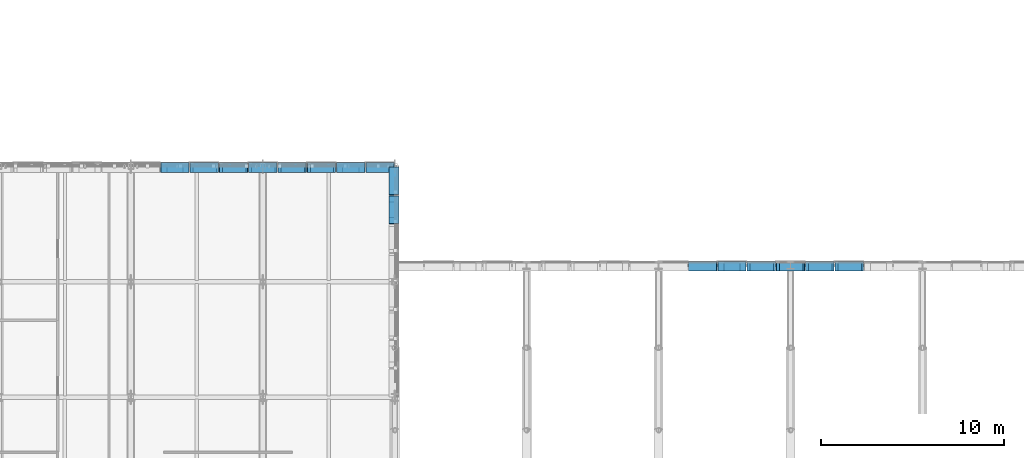
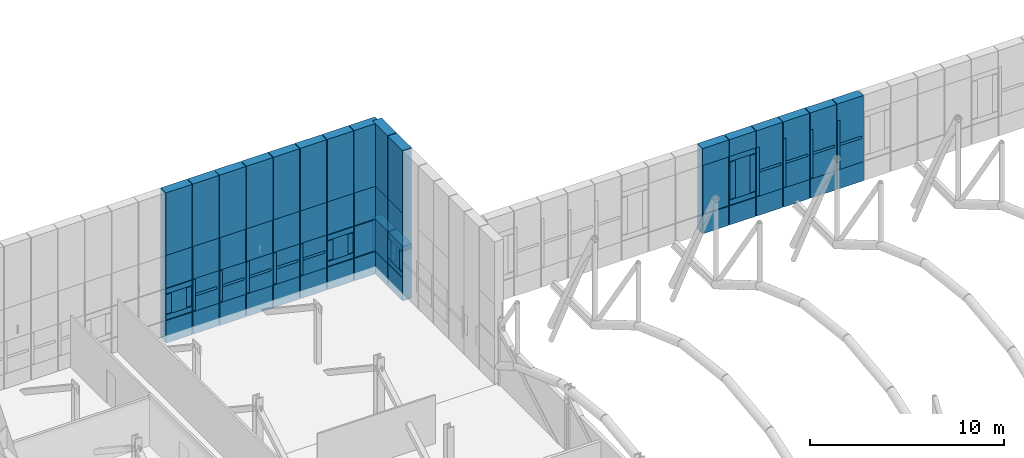
# One storey, part 120 of 144: 79 discrete accessories.
"""IFC4 building model written with IfcOpenShell, lengths in metres."""

from ifc_helpers import new_model, si_unit, direction, frame, origin, origin_2d, place, context, subcontext, project, spatial, rectangle, extrude, material, type_object, element, save


model = new_model("IFC4")

# Units and contexts
model_context = context("Model", 3, precision=1e-05, world=origin(), true_north=direction((0.0, 1.0)))
body_context = subcontext(model_context, "Body", "Model", "MODEL_VIEW")
ifc_project = project(units=[si_unit("LENGTHUNIT", "METRE"), si_unit("AREAUNIT", "SQUARE_METRE"), si_unit("VOLUMEUNIT", "CUBIC_METRE"), si_unit("PLANEANGLEUNIT", "RADIAN"), si_unit("MASSUNIT", "GRAM", prefix="KILO")], contexts=[model_context])

# Site, building, storey
site_placement = place(None, origin())
site = spatial("IfcSite", under=ifc_project, at=site_placement, CompositionType="ELEMENT")
building_placement = place(site_placement, origin())
building = spatial("IfcBuilding", under=site, at=building_placement, Name="Yarey Park Central Fire Station", CompositionType="ELEMENT")
storey_placement = place(building_placement, frame((0.0, 0.0, 10.199951171875)))
storey = spatial("IfcBuildingStorey", under=building, at=storey_placement, Name="L03", CompositionType="ELEMENT", Elevation=10.199951171875)

# Discrete accessories
ifc_material = material(Name="Stainless Steel AISI 316L", Category="steel")
discrete_accessory_type = type_object("IfcDiscreteAccessoryType", Name="ENV_BRK_SS1", PredefinedType="BRACKET", material=ifc_material)
discrete_accessory_1_placement = place(storey_placement, frame((57.550048828125, 96.637451171875, -0.494873046875), z_axis=(0.0, 0.0, 1.0), x_axis=(1.0, 0.0, 0.0)))
element("IfcDiscreteAccessory", 1, at=discrete_accessory_1_placement, inside=storey, type_object=discrete_accessory_type, Name="BRK_PERF_L03_0510", PredefinedType="BRACKET", context=body_context, shape_type="SweptSolid", body=[
    extrude(rectangle(XDim=0.5400390625, YDim=1.514892578125, at=origin_2d()), origin(), (0.0, 0.0, 1.0), 1.419921875),
])
for number, where, z_axis, x_axis, name in (
    (2, (57.550048828125, 96.637451171875, 0.97021484375), (0.0, 0.0, 1.0), (1.0, 0.0, 0.0), "BRK_PERF_L03_0511"),
    (3, (57.550048828125, 96.637451171875, 2.60986328125), (0.0, 0.0, 1.0), (1.0, 0.0, 0.0), "BRK_PERF_L03_0512"),
):
    element("IfcDiscreteAccessory", number, at=place(storey_placement, frame(where, z_axis=z_axis, x_axis=x_axis)), inside=storey, type_object=discrete_accessory_type, Name=name, PredefinedType="BRACKET", context=body_context, shape_type="SweptSolid", body=[
        extrude(rectangle(XDim=0.5400390625, YDim=1.514892578125, at=origin_2d()), origin(), (0.0, 0.0, 1.0), 0.320068359375),
    ])
for number, where, z_axis, x_axis, name in (
    (4, (57.550048828125, 96.050048828125, 1.3349609375), (0.0, 0.0, 1.0), (1.0, 0.0, 0.0), "BRK_PERF_L03_0513"),
    (5, (57.550048828125, 97.22509765625, 1.3349609375), (0.0, 0.0, 1.0), (1.0, 0.0, 0.0), "BRK_PERF_L03_0514"),
):
    element("IfcDiscreteAccessory", number, at=place(storey_placement, frame(where, z_axis=z_axis, x_axis=x_axis)), inside=storey, type_object=discrete_accessory_type, Name=name, PredefinedType="BRACKET", context=body_context, shape_type="SweptSolid", body=[
        extrude(rectangle(XDim=0.5400390625, YDim=0.320068359375, at=origin_2d()), origin(), (0.0, 0.0, 1.0), 1.22998046875),
    ])
discrete_accessory_2_placement = place(storey_placement, frame((57.550048828125, 96.637451171875, 2.97509765625), z_axis=(0.0, 0.0, 1.0), x_axis=(1.0, 0.0, 0.0)))
element("IfcDiscreteAccessory", 6, at=discrete_accessory_2_placement, inside=storey, type_object=discrete_accessory_type, Name="BRK_PERF_L03_0515", PredefinedType="BRACKET", context=body_context, shape_type="SweptSolid", body=[
    extrude(rectangle(XDim=0.5400390625, YDim=1.514892578125, at=origin_2d()), origin(), (0.0, 0.0, 1.0), 2.050048828125),
])
discrete_accessory_3_placement = place(storey_placement, frame((57.550048828125, 96.637451171875, -0.4599609375), z_axis=(0.0, 0.0, 1.0), x_axis=(1.0, 0.0, 0.0)))
element("IfcDiscreteAccessory", 7, at=discrete_accessory_3_placement, inside=storey, type_object=discrete_accessory_type, Name="BRK_RAIL_L03_0520", PredefinedType="BRACKET", context=body_context, shape_type="SweptSolid", body=[
    extrude(rectangle(XDim=0.5400390625, YDim=1.534912109375, at=origin_2d()), origin(), (0.0, 0.0, 1.0), 9.419921875),
])
discrete_accessory_4_placement = place(storey_placement, frame((57.550048828125, 98.21240234375, -0.494873046875), z_axis=(0.0, 0.0, 1.0), x_axis=(1.0, 0.0, 0.0)))
element("IfcDiscreteAccessory", 8, at=discrete_accessory_4_placement, inside=storey, type_object=discrete_accessory_type, Name="BRK_PERF_L03_0521", PredefinedType="BRACKET", context=body_context, shape_type="SweptSolid", body=[
    extrude(rectangle(XDim=0.5400390625, YDim=1.514892578125, at=origin_2d()), origin(), (0.0, 0.0, 1.0), 1.419921875),
])
discrete_accessory_5_placement = place(storey_placement, frame((57.550048828125, 98.21240234375, 0.97509765625), z_axis=(0.0, 0.0, 1.0), x_axis=(1.0, 0.0, 0.0)))
element("IfcDiscreteAccessory", 9, at=discrete_accessory_5_placement, inside=storey, type_object=discrete_accessory_type, Name="BRK_PERF_L03_0522", PredefinedType="BRACKET", context=body_context, shape_type="SweptSolid", body=[
    extrude(rectangle(XDim=0.5400390625, YDim=1.514892578125, at=origin_2d()), origin(), (0.0, 0.0, 1.0), 1.949951171875),
])
discrete_accessory_6_placement = place(storey_placement, frame((57.550048828125, 98.21240234375, 2.97509765625), z_axis=(0.0, 0.0, 1.0), x_axis=(1.0, 0.0, 0.0)))
element("IfcDiscreteAccessory", 10, at=discrete_accessory_6_placement, inside=storey, type_object=discrete_accessory_type, Name="BRK_PERF_L03_0523", PredefinedType="BRACKET", context=body_context, shape_type="SweptSolid", body=[
    extrude(rectangle(XDim=0.5400390625, YDim=1.514892578125, at=origin_2d()), origin(), (0.0, 0.0, 1.0), 2.050048828125),
])
discrete_accessory_7_placement = place(storey_placement, frame((57.550048828125, 98.21240234375, -0.4599609375), z_axis=(0.0, 0.0, 1.0), x_axis=(1.0, 0.0, 0.0)))
element("IfcDiscreteAccessory", 11, at=discrete_accessory_7_placement, inside=storey, type_object=discrete_accessory_type, Name="BRK_RAIL_L03_0525", PredefinedType="BRACKET", context=body_context, shape_type="SweptSolid", body=[
    extrude(rectangle(XDim=0.5400390625, YDim=1.534912109375, at=origin_2d()), origin(), (0.0, 0.0, 1.0), 9.419921875),
])
discrete_accessory_8_placement = place(storey_placement, frame((45.60009765625, 98.949951171875, -0.494873046875), z_axis=(0.0, 0.0, 1.0), x_axis=(1.0, 0.0, 0.0)))
element("IfcDiscreteAccessory", 12, at=discrete_accessory_8_placement, inside=storey, type_object=discrete_accessory_type, Name="BRK_PERF_L03_0855", PredefinedType="BRACKET", context=body_context, shape_type="SweptSolid", body=[
    extrude(rectangle(XDim=1.5400390625, YDim=0.5400390625, at=origin_2d()), origin(), (0.0, 0.0, 1.0), 1.419921875),
])
for number, where, z_axis, x_axis, name in (
    (13, (45.60009765625, 98.949951171875, 0.97021484375), (0.0, 0.0, 1.0), (1.0, 0.0, 0.0), "BRK_PERF_L03_0856"),
    (14, (45.60009765625, 98.949951171875, 2.60986328125), (0.0, 0.0, 1.0), (1.0, 0.0, 0.0), "BRK_PERF_L03_0857"),
):
    element("IfcDiscreteAccessory", number, at=place(storey_placement, frame(where, z_axis=z_axis, x_axis=x_axis)), inside=storey, type_object=discrete_accessory_type, Name=name, PredefinedType="BRACKET", context=body_context, shape_type="SweptSolid", body=[
        extrude(rectangle(XDim=1.5400390625, YDim=0.5400390625, at=origin_2d()), origin(), (0.0, 0.0, 1.0), 0.320068359375),
    ])
for number, where, z_axis, x_axis, name in (
    (15, (45.0, 98.949951171875, 1.3349609375), (0.0, 0.0, 1.0), (1.0, 0.0, 0.0), "BRK_PERF_L03_0858"),
    (16, (46.199951171875, 98.949951171875, 1.3349609375), (0.0, 0.0, 1.0), (1.0, 0.0, 0.0), "BRK_PERF_L03_0859"),
):
    element("IfcDiscreteAccessory", number, at=place(storey_placement, frame(where, z_axis=z_axis, x_axis=x_axis)), inside=storey, type_object=discrete_accessory_type, Name=name, PredefinedType="BRACKET", context=body_context, shape_type="SweptSolid", body=[
        extrude(rectangle(XDim=0.320068359375, YDim=0.5400390625, at=origin_2d()), origin(), (0.0, 0.0, 1.0), 1.22998046875),
    ])
discrete_accessory_9_placement = place(storey_placement, frame((45.60009765625, 98.949951171875, 2.97509765625), z_axis=(0.0, 0.0, 1.0), x_axis=(1.0, 0.0, 0.0)))
element("IfcDiscreteAccessory", 17, at=discrete_accessory_9_placement, inside=storey, type_object=discrete_accessory_type, Name="BRK_PERF_L03_0860", PredefinedType="BRACKET", context=body_context, shape_type="SweptSolid", body=[
    extrude(rectangle(XDim=1.5400390625, YDim=0.5400390625, at=origin_2d()), origin(), (0.0, 0.0, 1.0), 2.050048828125),
])
discrete_accessory_10_placement = place(storey_placement, frame((45.60009765625, 98.949951171875, -0.4599609375), z_axis=(0.0, 0.0, 1.0), x_axis=(1.0, 0.0, 0.0)))
element("IfcDiscreteAccessory", 18, at=discrete_accessory_10_placement, inside=storey, type_object=discrete_accessory_type, Name="BRK_RAIL_L03_0865", PredefinedType="BRACKET", context=body_context, shape_type="SweptSolid", body=[
    extrude(rectangle(XDim=1.56005859375, YDim=0.5400390625, at=origin_2d()), origin(), (0.0, 0.0, 1.0), 9.419921875),
])
discrete_accessory_11_placement = place(storey_placement, frame((47.199951171875, 98.949951171875, -0.494873046875), z_axis=(0.0, 0.0, 1.0), x_axis=(1.0, 0.0, 0.0)))
element("IfcDiscreteAccessory", 19, at=discrete_accessory_11_placement, inside=storey, type_object=discrete_accessory_type, Name="BRK_PERF_L03_0866", PredefinedType="BRACKET", context=body_context, shape_type="SweptSolid", body=[
    extrude(rectangle(XDim=1.5400390625, YDim=0.5400390625, at=origin_2d()), origin(), (0.0, 0.0, 1.0), 1.419921875),
])
discrete_accessory_12_placement = place(storey_placement, frame((46.510009765625, 98.949951171875, 0.97509765625), z_axis=(0.0, 0.0, 1.0), x_axis=(1.0, 0.0, 0.0)))
element("IfcDiscreteAccessory", 20, at=discrete_accessory_12_placement, inside=storey, type_object=discrete_accessory_type, Name="BRK_PERF_L03_0867", PredefinedType="BRACKET", context=body_context, shape_type="SweptSolid", body=[
    extrude(rectangle(XDim=0.159912109375, YDim=0.5400390625, at=origin_2d()), origin(), (0.0, 0.0, 1.0), 1.949951171875),
])
discrete_accessory_13_placement = place(storey_placement, frame((47.199951171875, 98.949951171875, 1.8701171875), z_axis=(0.0, 0.0, 1.0), x_axis=(1.0, 0.0, 0.0)))
element("IfcDiscreteAccessory", 21, at=discrete_accessory_13_placement, inside=storey, type_object=discrete_accessory_type, Name="BRK_PERF_L03_0868", PredefinedType="BRACKET", context=body_context, shape_type="SweptSolid", body=[
    extrude(rectangle(XDim=1.340087890625, YDim=0.5400390625, at=origin_2d()), origin(), (0.0, 0.0, 1.0), 0.159912109375),
])
discrete_accessory_14_placement = place(storey_placement, frame((47.199951171875, 98.949951171875, 2.97509765625), z_axis=(0.0, 0.0, 1.0), x_axis=(1.0, 0.0, 0.0)))
element("IfcDiscreteAccessory", 22, at=discrete_accessory_14_placement, inside=storey, type_object=discrete_accessory_type, Name="BRK_PERF_L03_0869", PredefinedType="BRACKET", context=body_context, shape_type="SweptSolid", body=[
    extrude(rectangle(XDim=1.5400390625, YDim=0.5400390625, at=origin_2d()), origin(), (0.0, 0.0, 1.0), 2.050048828125),
])
discrete_accessory_15_placement = place(storey_placement, frame((47.199951171875, 98.949951171875, -0.4599609375), z_axis=(0.0, 0.0, 1.0), x_axis=(1.0, 0.0, 0.0)))
element("IfcDiscreteAccessory", 23, at=discrete_accessory_15_placement, inside=storey, type_object=discrete_accessory_type, Name="BRK_RAIL_L03_0872", PredefinedType="BRACKET", context=body_context, shape_type="SweptSolid", body=[
    extrude(rectangle(XDim=1.56005859375, YDim=0.5400390625, at=origin_2d()), origin(), (0.0, 0.0, 1.0), 9.419921875),
])
discrete_accessory_16_placement = place(storey_placement, frame((48.800048828125, 98.949951171875, -0.494873046875), z_axis=(0.0, 0.0, 1.0), x_axis=(1.0, 0.0, 0.0)))
element("IfcDiscreteAccessory", 24, at=discrete_accessory_16_placement, inside=storey, type_object=discrete_accessory_type, Name="BRK_PERF_L03_0873", PredefinedType="BRACKET", context=body_context, shape_type="SweptSolid", body=[
    extrude(rectangle(XDim=1.5400390625, YDim=0.5400390625, at=origin_2d()), origin(), (0.0, 0.0, 1.0), 1.419921875),
])
discrete_accessory_17_placement = place(storey_placement, frame((48.110107421875, 98.949951171875, 0.97509765625), z_axis=(0.0, 0.0, 1.0), x_axis=(1.0, 0.0, 0.0)))
element("IfcDiscreteAccessory", 25, at=discrete_accessory_17_placement, inside=storey, type_object=discrete_accessory_type, Name="BRK_PERF_L03_0874", PredefinedType="BRACKET", context=body_context, shape_type="SweptSolid", body=[
    extrude(rectangle(XDim=0.159912109375, YDim=0.5400390625, at=origin_2d()), origin(), (0.0, 0.0, 1.0), 1.949951171875),
])
discrete_accessory_18_placement = place(storey_placement, frame((48.800048828125, 98.949951171875, 1.8701171875), z_axis=(0.0, 0.0, 1.0), x_axis=(1.0, 0.0, 0.0)))
element("IfcDiscreteAccessory", 26, at=discrete_accessory_18_placement, inside=storey, type_object=discrete_accessory_type, Name="BRK_PERF_L03_0875", PredefinedType="BRACKET", context=body_context, shape_type="SweptSolid", body=[
    extrude(rectangle(XDim=1.340087890625, YDim=0.5400390625, at=origin_2d()), origin(), (0.0, 0.0, 1.0), 0.159912109375),
])
discrete_accessory_19_placement = place(storey_placement, frame((48.800048828125, 98.949951171875, 2.97509765625), z_axis=(0.0, 0.0, 1.0), x_axis=(1.0, 0.0, 0.0)))
element("IfcDiscreteAccessory", 27, at=discrete_accessory_19_placement, inside=storey, type_object=discrete_accessory_type, Name="BRK_PERF_L03_0876", PredefinedType="BRACKET", context=body_context, shape_type="SweptSolid", body=[
    extrude(rectangle(XDim=1.5400390625, YDim=0.5400390625, at=origin_2d()), origin(), (0.0, 0.0, 1.0), 2.050048828125),
])
discrete_accessory_20_placement = place(storey_placement, frame((48.800048828125, 98.949951171875, -0.4599609375), z_axis=(0.0, 0.0, 1.0), x_axis=(1.0, 0.0, 0.0)))
element("IfcDiscreteAccessory", 28, at=discrete_accessory_20_placement, inside=storey, type_object=discrete_accessory_type, Name="BRK_RAIL_L03_0879", PredefinedType="BRACKET", context=body_context, shape_type="SweptSolid", body=[
    extrude(rectangle(XDim=1.56005859375, YDim=0.5400390625, at=origin_2d()), origin(), (0.0, 0.0, 1.0), 9.419921875),
])
discrete_accessory_21_placement = place(storey_placement, frame((50.39990234375, 98.949951171875, -0.494873046875), z_axis=(0.0, 0.0, 1.0), x_axis=(1.0, 0.0, 0.0)))
element("IfcDiscreteAccessory", 29, at=discrete_accessory_21_placement, inside=storey, type_object=discrete_accessory_type, Name="BRK_PERF_L03_0880", PredefinedType="BRACKET", context=body_context, shape_type="SweptSolid", body=[
    extrude(rectangle(XDim=1.5400390625, YDim=0.5400390625, at=origin_2d()), origin(), (0.0, 0.0, 1.0), 1.419921875),
])
discrete_accessory_22_placement = place(storey_placement, frame((49.7099609375, 98.949951171875, 0.97509765625), z_axis=(0.0, 0.0, 1.0), x_axis=(1.0, 0.0, 0.0)))
element("IfcDiscreteAccessory", 30, at=discrete_accessory_22_placement, inside=storey, type_object=discrete_accessory_type, Name="BRK_PERF_L03_0881", PredefinedType="BRACKET", context=body_context, shape_type="SweptSolid", body=[
    extrude(rectangle(XDim=0.159912109375, YDim=0.5400390625, at=origin_2d()), origin(), (0.0, 0.0, 1.0), 1.949951171875),
])
discrete_accessory_23_placement = place(storey_placement, frame((50.39990234375, 98.949951171875, 1.8701171875), z_axis=(0.0, 0.0, 1.0), x_axis=(1.0, 0.0, 0.0)))
element("IfcDiscreteAccessory", 31, at=discrete_accessory_23_placement, inside=storey, type_object=discrete_accessory_type, Name="BRK_PERF_L03_0882", PredefinedType="BRACKET", context=body_context, shape_type="SweptSolid", body=[
    extrude(rectangle(XDim=1.340087890625, YDim=0.5400390625, at=origin_2d()), origin(), (0.0, 0.0, 1.0), 0.159912109375),
])
discrete_accessory_24_placement = place(storey_placement, frame((50.39990234375, 98.949951171875, 2.97509765625), z_axis=(0.0, 0.0, 1.0), x_axis=(1.0, 0.0, 0.0)))
element("IfcDiscreteAccessory", 32, at=discrete_accessory_24_placement, inside=storey, type_object=discrete_accessory_type, Name="BRK_PERF_L03_0883", PredefinedType="BRACKET", context=body_context, shape_type="SweptSolid", body=[
    extrude(rectangle(XDim=1.5400390625, YDim=0.5400390625, at=origin_2d()), origin(), (0.0, 0.0, 1.0), 2.050048828125),
])
discrete_accessory_25_placement = place(storey_placement, frame((50.39990234375, 98.949951171875, -0.4599609375), z_axis=(0.0, 0.0, 1.0), x_axis=(1.0, 0.0, 0.0)))
element("IfcDiscreteAccessory", 33, at=discrete_accessory_25_placement, inside=storey, type_object=discrete_accessory_type, Name="BRK_RAIL_L03_0886", PredefinedType="BRACKET", context=body_context, shape_type="SweptSolid", body=[
    extrude(rectangle(XDim=1.56005859375, YDim=0.5400390625, at=origin_2d()), origin(), (0.0, 0.0, 1.0), 9.419921875),
])
discrete_accessory_26_placement = place(storey_placement, frame((52.0, 98.949951171875, -0.494873046875), z_axis=(0.0, 0.0, 1.0), x_axis=(1.0, 0.0, 0.0)))
element("IfcDiscreteAccessory", 34, at=discrete_accessory_26_placement, inside=storey, type_object=discrete_accessory_type, Name="BRK_PERF_L03_0887", PredefinedType="BRACKET", context=body_context, shape_type="SweptSolid", body=[
    extrude(rectangle(XDim=1.5400390625, YDim=0.5400390625, at=origin_2d()), origin(), (0.0, 0.0, 1.0), 1.419921875),
])
discrete_accessory_27_placement = place(storey_placement, frame((51.31005859375, 98.949951171875, 0.97509765625), z_axis=(0.0, 0.0, 1.0), x_axis=(1.0, 0.0, 0.0)))
element("IfcDiscreteAccessory", 35, at=discrete_accessory_27_placement, inside=storey, type_object=discrete_accessory_type, Name="BRK_PERF_L03_0888", PredefinedType="BRACKET", context=body_context, shape_type="SweptSolid", body=[
    extrude(rectangle(XDim=0.159912109375, YDim=0.5400390625, at=origin_2d()), origin(), (0.0, 0.0, 1.0), 1.949951171875),
])
discrete_accessory_28_placement = place(storey_placement, frame((52.0, 98.949951171875, 1.8701171875), z_axis=(0.0, 0.0, 1.0), x_axis=(1.0, 0.0, 0.0)))
element("IfcDiscreteAccessory", 36, at=discrete_accessory_28_placement, inside=storey, type_object=discrete_accessory_type, Name="BRK_PERF_L03_0889", PredefinedType="BRACKET", context=body_context, shape_type="SweptSolid", body=[
    extrude(rectangle(XDim=1.340087890625, YDim=0.5400390625, at=origin_2d()), origin(), (0.0, 0.0, 1.0), 0.159912109375),
])
discrete_accessory_29_placement = place(storey_placement, frame((52.0, 98.949951171875, 2.97509765625), z_axis=(0.0, 0.0, 1.0), x_axis=(1.0, 0.0, 0.0)))
element("IfcDiscreteAccessory", 37, at=discrete_accessory_29_placement, inside=storey, type_object=discrete_accessory_type, Name="BRK_PERF_L03_0890", PredefinedType="BRACKET", context=body_context, shape_type="SweptSolid", body=[
    extrude(rectangle(XDim=1.5400390625, YDim=0.5400390625, at=origin_2d()), origin(), (0.0, 0.0, 1.0), 2.050048828125),
])
discrete_accessory_30_placement = place(storey_placement, frame((52.0, 98.949951171875, -0.4599609375), z_axis=(0.0, 0.0, 1.0), x_axis=(1.0, 0.0, 0.0)))
element("IfcDiscreteAccessory", 38, at=discrete_accessory_30_placement, inside=storey, type_object=discrete_accessory_type, Name="BRK_RAIL_L03_0893", PredefinedType="BRACKET", context=body_context, shape_type="SweptSolid", body=[
    extrude(rectangle(XDim=1.56005859375, YDim=0.5400390625, at=origin_2d()), origin(), (0.0, 0.0, 1.0), 9.419921875),
])
discrete_accessory_31_placement = place(storey_placement, frame((53.60009765625, 98.949951171875, -0.494873046875), z_axis=(0.0, 0.0, 1.0), x_axis=(1.0, 0.0, 0.0)))
element("IfcDiscreteAccessory", 39, at=discrete_accessory_31_placement, inside=storey, type_object=discrete_accessory_type, Name="BRK_PERF_L03_0894", PredefinedType="BRACKET", context=body_context, shape_type="SweptSolid", body=[
    extrude(rectangle(XDim=1.5400390625, YDim=0.5400390625, at=origin_2d()), origin(), (0.0, 0.0, 1.0), 1.419921875),
])
discrete_accessory_32_placement = place(storey_placement, frame((52.909912109375, 98.949951171875, 0.97509765625), z_axis=(0.0, 0.0, 1.0), x_axis=(1.0, 0.0, 0.0)))
element("IfcDiscreteAccessory", 40, at=discrete_accessory_32_placement, inside=storey, type_object=discrete_accessory_type, Name="BRK_PERF_L03_0895", PredefinedType="BRACKET", context=body_context, shape_type="SweptSolid", body=[
    extrude(rectangle(XDim=0.159912109375, YDim=0.5400390625, at=origin_2d()), origin(), (0.0, 0.0, 1.0), 1.949951171875),
])
discrete_accessory_33_placement = place(storey_placement, frame((53.60009765625, 98.949951171875, 1.8701171875), z_axis=(0.0, 0.0, 1.0), x_axis=(1.0, 0.0, 0.0)))
element("IfcDiscreteAccessory", 41, at=discrete_accessory_33_placement, inside=storey, type_object=discrete_accessory_type, Name="BRK_PERF_L03_0896", PredefinedType="BRACKET", context=body_context, shape_type="SweptSolid", body=[
    extrude(rectangle(XDim=1.340087890625, YDim=0.5400390625, at=origin_2d()), origin(), (0.0, 0.0, 1.0), 0.159912109375),
])
discrete_accessory_34_placement = place(storey_placement, frame((53.60009765625, 98.949951171875, 2.97509765625), z_axis=(0.0, 0.0, 1.0), x_axis=(1.0, 0.0, 0.0)))
element("IfcDiscreteAccessory", 42, at=discrete_accessory_34_placement, inside=storey, type_object=discrete_accessory_type, Name="BRK_PERF_L03_0897", PredefinedType="BRACKET", context=body_context, shape_type="SweptSolid", body=[
    extrude(rectangle(XDim=1.5400390625, YDim=0.5400390625, at=origin_2d()), origin(), (0.0, 0.0, 1.0), 2.050048828125),
])
discrete_accessory_35_placement = place(storey_placement, frame((53.60009765625, 98.949951171875, -0.4599609375), z_axis=(0.0, 0.0, 1.0), x_axis=(1.0, 0.0, 0.0)))
element("IfcDiscreteAccessory", 43, at=discrete_accessory_35_placement, inside=storey, type_object=discrete_accessory_type, Name="BRK_RAIL_L03_0900", PredefinedType="BRACKET", context=body_context, shape_type="SweptSolid", body=[
    extrude(rectangle(XDim=1.56005859375, YDim=0.5400390625, at=origin_2d()), origin(), (0.0, 0.0, 1.0), 9.419921875),
])
discrete_accessory_36_placement = place(storey_placement, frame((55.199951171875, 98.949951171875, -0.494873046875), z_axis=(0.0, 0.0, 1.0), x_axis=(1.0, 0.0, 0.0)))
element("IfcDiscreteAccessory", 44, at=discrete_accessory_36_placement, inside=storey, type_object=discrete_accessory_type, Name="BRK_PERF_L03_0901", PredefinedType="BRACKET", context=body_context, shape_type="SweptSolid", body=[
    extrude(rectangle(XDim=1.5400390625, YDim=0.5400390625, at=origin_2d()), origin(), (0.0, 0.0, 1.0), 1.419921875),
])
for number, where, z_axis, x_axis, name in (
    (45, (55.199951171875, 98.949951171875, 0.97021484375), (0.0, 0.0, 1.0), (1.0, 0.0, 0.0), "BRK_PERF_L03_0902"),
    (46, (55.199951171875, 98.949951171875, 2.60986328125), (0.0, 0.0, 1.0), (1.0, 0.0, 0.0), "BRK_PERF_L03_0903"),
):
    element("IfcDiscreteAccessory", number, at=place(storey_placement, frame(where, z_axis=z_axis, x_axis=x_axis)), inside=storey, type_object=discrete_accessory_type, Name=name, PredefinedType="BRACKET", context=body_context, shape_type="SweptSolid", body=[
        extrude(rectangle(XDim=1.5400390625, YDim=0.5400390625, at=origin_2d()), origin(), (0.0, 0.0, 1.0), 0.320068359375),
    ])
for number, where, z_axis, x_axis, name in (
    (47, (54.60009765625, 98.949951171875, 1.3349609375), (0.0, 0.0, 1.0), (1.0, 0.0, 0.0), "BRK_PERF_L03_0904"),
    (48, (55.800048828125, 98.949951171875, 1.3349609375), (0.0, 0.0, 1.0), (1.0, 0.0, 0.0), "BRK_PERF_L03_0905"),
):
    element("IfcDiscreteAccessory", number, at=place(storey_placement, frame(where, z_axis=z_axis, x_axis=x_axis)), inside=storey, type_object=discrete_accessory_type, Name=name, PredefinedType="BRACKET", context=body_context, shape_type="SweptSolid", body=[
        extrude(rectangle(XDim=0.320068359375, YDim=0.5400390625, at=origin_2d()), origin(), (0.0, 0.0, 1.0), 1.22998046875),
    ])
discrete_accessory_37_placement = place(storey_placement, frame((55.199951171875, 98.949951171875, 2.97509765625), z_axis=(0.0, 0.0, 1.0), x_axis=(1.0, 0.0, 0.0)))
element("IfcDiscreteAccessory", 49, at=discrete_accessory_37_placement, inside=storey, type_object=discrete_accessory_type, Name="BRK_PERF_L03_0906", PredefinedType="BRACKET", context=body_context, shape_type="SweptSolid", body=[
    extrude(rectangle(XDim=1.5400390625, YDim=0.5400390625, at=origin_2d()), origin(), (0.0, 0.0, 1.0), 2.050048828125),
])
discrete_accessory_38_placement = place(storey_placement, frame((55.199951171875, 98.949951171875, -0.4599609375), z_axis=(0.0, 0.0, 1.0), x_axis=(1.0, 0.0, 0.0)))
element("IfcDiscreteAccessory", 50, at=discrete_accessory_38_placement, inside=storey, type_object=discrete_accessory_type, Name="BRK_RAIL_L03_0911", PredefinedType="BRACKET", context=body_context, shape_type="SweptSolid", body=[
    extrude(rectangle(XDim=1.56005859375, YDim=0.5400390625, at=origin_2d()), origin(), (0.0, 0.0, 1.0), 9.419921875),
])
discrete_accessory_39_placement = place(storey_placement, frame((56.800048828125, 98.949951171875, -0.494873046875), z_axis=(0.0, 0.0, 1.0), x_axis=(1.0, 0.0, 0.0)))
element("IfcDiscreteAccessory", 51, at=discrete_accessory_39_placement, inside=storey, type_object=discrete_accessory_type, Name="BRK_PERF_L03_0912", PredefinedType="BRACKET", context=body_context, shape_type="SweptSolid", body=[
    extrude(rectangle(XDim=1.5400390625, YDim=0.5400390625, at=origin_2d()), origin(), (0.0, 0.0, 1.0), 1.419921875),
])
discrete_accessory_40_placement = place(storey_placement, frame((56.800048828125, 98.949951171875, 0.97509765625), z_axis=(0.0, 0.0, 1.0), x_axis=(1.0, 0.0, 0.0)))
element("IfcDiscreteAccessory", 52, at=discrete_accessory_40_placement, inside=storey, type_object=discrete_accessory_type, Name="BRK_PERF_L03_0913", PredefinedType="BRACKET", context=body_context, shape_type="SweptSolid", body=[
    extrude(rectangle(XDim=1.5400390625, YDim=0.5400390625, at=origin_2d()), origin(), (0.0, 0.0, 1.0), 1.949951171875),
])
discrete_accessory_41_placement = place(storey_placement, frame((56.800048828125, 98.949951171875, 2.97509765625), z_axis=(0.0, 0.0, 1.0), x_axis=(1.0, 0.0, 0.0)))
element("IfcDiscreteAccessory", 53, at=discrete_accessory_41_placement, inside=storey, type_object=discrete_accessory_type, Name="BRK_PERF_L03_0914", PredefinedType="BRACKET", context=body_context, shape_type="SweptSolid", body=[
    extrude(rectangle(XDim=1.5400390625, YDim=0.5400390625, at=origin_2d()), origin(), (0.0, 0.0, 1.0), 2.050048828125),
])
discrete_accessory_42_placement = place(storey_placement, frame((56.800048828125, 98.949951171875, -0.4599609375), z_axis=(0.0, 0.0, 1.0), x_axis=(1.0, 0.0, 0.0)))
element("IfcDiscreteAccessory", 54, at=discrete_accessory_42_placement, inside=storey, type_object=discrete_accessory_type, Name="BRK_RAIL_L03_0916", PredefinedType="BRACKET", context=body_context, shape_type="SweptSolid", body=[
    extrude(rectangle(XDim=1.56005859375, YDim=0.5400390625, at=origin_2d()), origin(), (0.0, 0.0, 1.0), 9.419921875),
])
discrete_accessory_43_placement = place(storey_placement, frame((74.39990234375, 93.550048828125, -0.4248046875), z_axis=(0.0, 0.0, 1.0), x_axis=(1.0, 0.0, 0.0)))
element("IfcDiscreteAccessory", 55, at=discrete_accessory_43_placement, inside=storey, type_object=discrete_accessory_type, Name="BRK_PERF_L03_1606", PredefinedType="BRACKET", context=body_context, shape_type="SweptSolid", body=[
    extrude(rectangle(XDim=1.5400390625, YDim=0.5400390625, at=origin_2d()), origin(), (0.0, 0.0, 1.0), 1.199951171875),
])
discrete_accessory_44_placement = place(storey_placement, frame((74.39990234375, 93.550048828125, 0.8251953125), z_axis=(0.0, 0.0, 1.0), x_axis=(1.0, 0.0, 0.0)))
element("IfcDiscreteAccessory", 56, at=discrete_accessory_44_placement, inside=storey, type_object=discrete_accessory_type, Name="BRK_PERF_L03_1607", PredefinedType="BRACKET", context=body_context, shape_type="SweptSolid", body=[
    extrude(rectangle(XDim=1.5400390625, YDim=0.5400390625, at=origin_2d()), origin(), (0.0, 0.0, 1.0), 3.050048828125),
])
discrete_accessory_45_placement = place(storey_placement, frame((74.39990234375, 93.550048828125, -0.389892578125), z_axis=(0.0, 0.0, 1.0), x_axis=(1.0, 0.0, 0.0)))
element("IfcDiscreteAccessory", 57, at=discrete_accessory_45_placement, inside=storey, type_object=discrete_accessory_type, Name="BRK_RAIL_L03_1608", PredefinedType="BRACKET", context=body_context, shape_type="SweptSolid", body=[
    extrude(rectangle(XDim=1.56005859375, YDim=0.5400390625, at=origin_2d()), origin(), (0.0, 0.0, 1.0), 5.330078125),
])
discrete_accessory_46_placement = place(storey_placement, frame((76.0, 93.550048828125, -0.4248046875), z_axis=(0.0, 0.0, 1.0), x_axis=(1.0, 0.0, 0.0)))
element("IfcDiscreteAccessory", 58, at=discrete_accessory_46_placement, inside=storey, type_object=discrete_accessory_type, Name="BRK_PERF_L03_1609", PredefinedType="BRACKET", context=body_context, shape_type="SweptSolid", body=[
    extrude(rectangle(XDim=1.5400390625, YDim=0.5400390625, at=origin_2d()), origin(), (0.0, 0.0, 1.0), 1.199951171875),
])
for number, where, z_axis, x_axis, name in (
    (59, (76.0, 93.550048828125, 0.81982421875), (0.0, 0.0, 1.0), (1.0, 0.0, 0.0), "BRK_PERF_L03_1610"),
    (60, (76.0, 93.550048828125, 3.56005859375), (0.0, 0.0, 1.0), (1.0, 0.0, 0.0), "BRK_PERF_L03_1611"),
):
    element("IfcDiscreteAccessory", number, at=place(storey_placement, frame(where, z_axis=z_axis, x_axis=x_axis)), inside=storey, type_object=discrete_accessory_type, Name=name, PredefinedType="BRACKET", context=body_context, shape_type="SweptSolid", body=[
        extrude(rectangle(XDim=1.5400390625, YDim=0.5400390625, at=origin_2d()), origin(), (0.0, 0.0, 1.0), 0.320068359375),
    ])
for number, where, z_axis, x_axis, name in (
    (61, (75.39990234375, 93.550048828125, 1.18505859375), (0.0, 0.0, 1.0), (1.0, 0.0, 0.0), "BRK_PERF_L03_1612"),
    (62, (76.60009765625, 93.550048828125, 1.18505859375), (0.0, 0.0, 1.0), (1.0, 0.0, 0.0), "BRK_PERF_L03_1613"),
):
    element("IfcDiscreteAccessory", number, at=place(storey_placement, frame(where, z_axis=z_axis, x_axis=x_axis)), inside=storey, type_object=discrete_accessory_type, Name=name, PredefinedType="BRACKET", context=body_context, shape_type="SweptSolid", body=[
        extrude(rectangle(XDim=0.320068359375, YDim=0.5400390625, at=origin_2d()), origin(), (0.0, 0.0, 1.0), 2.330078125),
    ])
discrete_accessory_47_placement = place(storey_placement, frame((76.0, 93.550048828125, -0.389892578125), z_axis=(0.0, 0.0, 1.0), x_axis=(1.0, 0.0, 0.0)))
element("IfcDiscreteAccessory", 63, at=discrete_accessory_47_placement, inside=storey, type_object=discrete_accessory_type, Name="BRK_RAIL_L03_1614", PredefinedType="BRACKET", context=body_context, shape_type="SweptSolid", body=[
    extrude(rectangle(XDim=1.56005859375, YDim=0.5400390625, at=origin_2d()), origin(), (0.0, 0.0, 1.0), 5.330078125),
])
discrete_accessory_48_placement = place(storey_placement, frame((77.60009765625, 93.550048828125, -0.4248046875), z_axis=(0.0, 0.0, 1.0), x_axis=(1.0, 0.0, 0.0)))
element("IfcDiscreteAccessory", 64, at=discrete_accessory_48_placement, inside=storey, type_object=discrete_accessory_type, Name="BRK_PERF_L03_1615", PredefinedType="BRACKET", context=body_context, shape_type="SweptSolid", body=[
    extrude(rectangle(XDim=1.5400390625, YDim=0.5400390625, at=origin_2d()), origin(), (0.0, 0.0, 1.0), 1.199951171875),
])
discrete_accessory_49_placement = place(storey_placement, frame((76.909912109375, 93.550048828125, 0.8251953125), z_axis=(0.0, 0.0, 1.0), x_axis=(1.0, 0.0, 0.0)))
element("IfcDiscreteAccessory", 65, at=discrete_accessory_49_placement, inside=storey, type_object=discrete_accessory_type, Name="BRK_PERF_L03_1616", PredefinedType="BRACKET", context=body_context, shape_type="SweptSolid", body=[
    extrude(rectangle(XDim=0.159912109375, YDim=0.5400390625, at=origin_2d()), origin(), (0.0, 0.0, 1.0), 3.050048828125),
])
discrete_accessory_50_placement = place(storey_placement, frame((77.60009765625, 93.550048828125, 2.27001953125), z_axis=(0.0, 0.0, 1.0), x_axis=(1.0, 0.0, 0.0)))
element("IfcDiscreteAccessory", 66, at=discrete_accessory_50_placement, inside=storey, type_object=discrete_accessory_type, Name="BRK_PERF_L03_1617", PredefinedType="BRACKET", context=body_context, shape_type="SweptSolid", body=[
    extrude(rectangle(XDim=1.340087890625, YDim=0.5400390625, at=origin_2d()), origin(), (0.0, 0.0, 1.0), 0.159912109375),
])
discrete_accessory_51_placement = place(storey_placement, frame((77.60009765625, 93.550048828125, -0.389892578125), z_axis=(0.0, 0.0, 1.0), x_axis=(1.0, 0.0, 0.0)))
element("IfcDiscreteAccessory", 67, at=discrete_accessory_51_placement, inside=storey, type_object=discrete_accessory_type, Name="BRK_RAIL_L03_1618", PredefinedType="BRACKET", context=body_context, shape_type="SweptSolid", body=[
    extrude(rectangle(XDim=1.56005859375, YDim=0.5400390625, at=origin_2d()), origin(), (0.0, 0.0, 1.0), 5.330078125),
])
discrete_accessory_52_placement = place(storey_placement, frame((79.199951171875, 93.550048828125, -0.4248046875), z_axis=(0.0, 0.0, 1.0), x_axis=(1.0, 0.0, 0.0)))
element("IfcDiscreteAccessory", 68, at=discrete_accessory_52_placement, inside=storey, type_object=discrete_accessory_type, Name="BRK_PERF_L03_1619", PredefinedType="BRACKET", context=body_context, shape_type="SweptSolid", body=[
    extrude(rectangle(XDim=1.5400390625, YDim=0.5400390625, at=origin_2d()), origin(), (0.0, 0.0, 1.0), 1.199951171875),
])
discrete_accessory_53_placement = place(storey_placement, frame((78.510009765625, 93.550048828125, 0.8251953125), z_axis=(0.0, 0.0, 1.0), x_axis=(1.0, 0.0, 0.0)))
element("IfcDiscreteAccessory", 69, at=discrete_accessory_53_placement, inside=storey, type_object=discrete_accessory_type, Name="BRK_PERF_L03_1620", PredefinedType="BRACKET", context=body_context, shape_type="SweptSolid", body=[
    extrude(rectangle(XDim=0.159912109375, YDim=0.5400390625, at=origin_2d()), origin(), (0.0, 0.0, 1.0), 3.050048828125),
])
discrete_accessory_54_placement = place(storey_placement, frame((79.199951171875, 93.550048828125, 2.27001953125), z_axis=(0.0, 0.0, 1.0), x_axis=(1.0, 0.0, 0.0)))
element("IfcDiscreteAccessory", 70, at=discrete_accessory_54_placement, inside=storey, type_object=discrete_accessory_type, Name="BRK_PERF_L03_1621", PredefinedType="BRACKET", context=body_context, shape_type="SweptSolid", body=[
    extrude(rectangle(XDim=1.340087890625, YDim=0.5400390625, at=origin_2d()), origin(), (0.0, 0.0, 1.0), 0.159912109375),
])
discrete_accessory_55_placement = place(storey_placement, frame((79.199951171875, 93.550048828125, -0.389892578125), z_axis=(0.0, 0.0, 1.0), x_axis=(1.0, 0.0, 0.0)))
element("IfcDiscreteAccessory", 71, at=discrete_accessory_55_placement, inside=storey, type_object=discrete_accessory_type, Name="BRK_RAIL_L03_1622", PredefinedType="BRACKET", context=body_context, shape_type="SweptSolid", body=[
    extrude(rectangle(XDim=1.56005859375, YDim=0.5400390625, at=origin_2d()), origin(), (0.0, 0.0, 1.0), 5.330078125),
])
discrete_accessory_56_placement = place(storey_placement, frame((80.800048828125, 93.550048828125, -0.4248046875), z_axis=(0.0, 0.0, 1.0), x_axis=(1.0, 0.0, 0.0)))
element("IfcDiscreteAccessory", 72, at=discrete_accessory_56_placement, inside=storey, type_object=discrete_accessory_type, Name="BRK_PERF_L03_1623", PredefinedType="BRACKET", context=body_context, shape_type="SweptSolid", body=[
    extrude(rectangle(XDim=1.5400390625, YDim=0.5400390625, at=origin_2d()), origin(), (0.0, 0.0, 1.0), 1.199951171875),
])
discrete_accessory_57_placement = place(storey_placement, frame((80.110107421875, 93.550048828125, 0.8251953125), z_axis=(0.0, 0.0, 1.0), x_axis=(1.0, 0.0, 0.0)))
element("IfcDiscreteAccessory", 73, at=discrete_accessory_57_placement, inside=storey, type_object=discrete_accessory_type, Name="BRK_PERF_L03_1624", PredefinedType="BRACKET", context=body_context, shape_type="SweptSolid", body=[
    extrude(rectangle(XDim=0.159912109375, YDim=0.5400390625, at=origin_2d()), origin(), (0.0, 0.0, 1.0), 3.050048828125),
])
discrete_accessory_58_placement = place(storey_placement, frame((80.800048828125, 93.550048828125, 2.27001953125), z_axis=(0.0, 0.0, 1.0), x_axis=(1.0, 0.0, 0.0)))
element("IfcDiscreteAccessory", 74, at=discrete_accessory_58_placement, inside=storey, type_object=discrete_accessory_type, Name="BRK_PERF_L03_1625", PredefinedType="BRACKET", context=body_context, shape_type="SweptSolid", body=[
    extrude(rectangle(XDim=1.340087890625, YDim=0.5400390625, at=origin_2d()), origin(), (0.0, 0.0, 1.0), 0.159912109375),
])
discrete_accessory_59_placement = place(storey_placement, frame((80.800048828125, 93.550048828125, -0.389892578125), z_axis=(0.0, 0.0, 1.0), x_axis=(1.0, 0.0, 0.0)))
element("IfcDiscreteAccessory", 75, at=discrete_accessory_59_placement, inside=storey, type_object=discrete_accessory_type, Name="BRK_RAIL_L03_1626", PredefinedType="BRACKET", context=body_context, shape_type="SweptSolid", body=[
    extrude(rectangle(XDim=1.56005859375, YDim=0.5400390625, at=origin_2d()), origin(), (0.0, 0.0, 1.0), 5.330078125),
])
discrete_accessory_60_placement = place(storey_placement, frame((82.39990234375, 93.550048828125, -0.4248046875), z_axis=(0.0, 0.0, 1.0), x_axis=(1.0, 0.0, 0.0)))
element("IfcDiscreteAccessory", 76, at=discrete_accessory_60_placement, inside=storey, type_object=discrete_accessory_type, Name="BRK_PERF_L03_1627", PredefinedType="BRACKET", context=body_context, shape_type="SweptSolid", body=[
    extrude(rectangle(XDim=1.5400390625, YDim=0.5400390625, at=origin_2d()), origin(), (0.0, 0.0, 1.0), 1.199951171875),
])
discrete_accessory_61_placement = place(storey_placement, frame((81.7099609375, 93.550048828125, 0.8251953125), z_axis=(0.0, 0.0, 1.0), x_axis=(1.0, 0.0, 0.0)))
element("IfcDiscreteAccessory", 77, at=discrete_accessory_61_placement, inside=storey, type_object=discrete_accessory_type, Name="BRK_PERF_L03_1628", PredefinedType="BRACKET", context=body_context, shape_type="SweptSolid", body=[
    extrude(rectangle(XDim=0.159912109375, YDim=0.5400390625, at=origin_2d()), origin(), (0.0, 0.0, 1.0), 3.050048828125),
])
discrete_accessory_62_placement = place(storey_placement, frame((82.39990234375, 93.550048828125, 2.27001953125), z_axis=(0.0, 0.0, 1.0), x_axis=(1.0, 0.0, 0.0)))
element("IfcDiscreteAccessory", 78, at=discrete_accessory_62_placement, inside=storey, type_object=discrete_accessory_type, Name="BRK_PERF_L03_1629", PredefinedType="BRACKET", context=body_context, shape_type="SweptSolid", body=[
    extrude(rectangle(XDim=1.340087890625, YDim=0.5400390625, at=origin_2d()), origin(), (0.0, 0.0, 1.0), 0.159912109375),
])
discrete_accessory_63_placement = place(storey_placement, frame((82.39990234375, 93.550048828125, -0.389892578125), z_axis=(0.0, 0.0, 1.0), x_axis=(1.0, 0.0, 0.0)))
element("IfcDiscreteAccessory", 79, at=discrete_accessory_63_placement, inside=storey, type_object=discrete_accessory_type, Name="BRK_RAIL_L03_1630", PredefinedType="BRACKET", context=body_context, shape_type="SweptSolid", body=[
    extrude(rectangle(XDim=1.56005859375, YDim=0.5400390625, at=origin_2d()), origin(), (0.0, 0.0, 1.0), 5.330078125),
])

save(model, "model.ifc")
